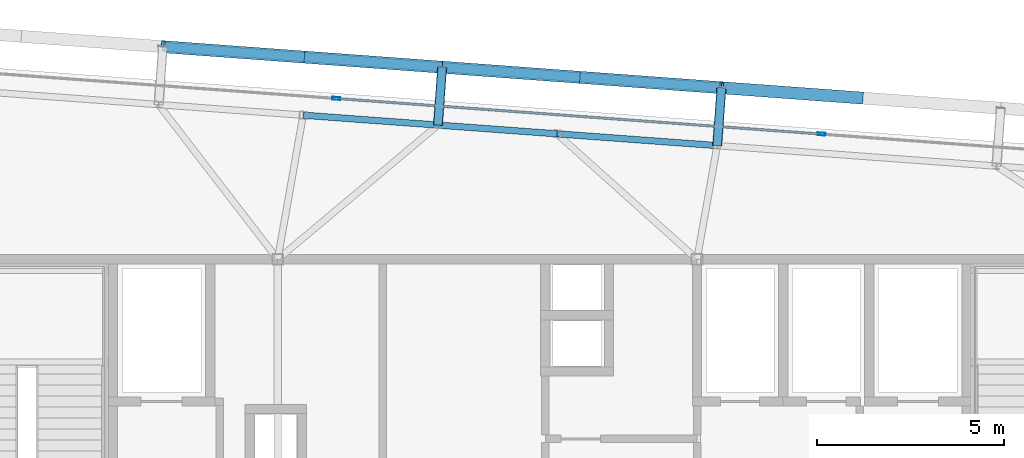
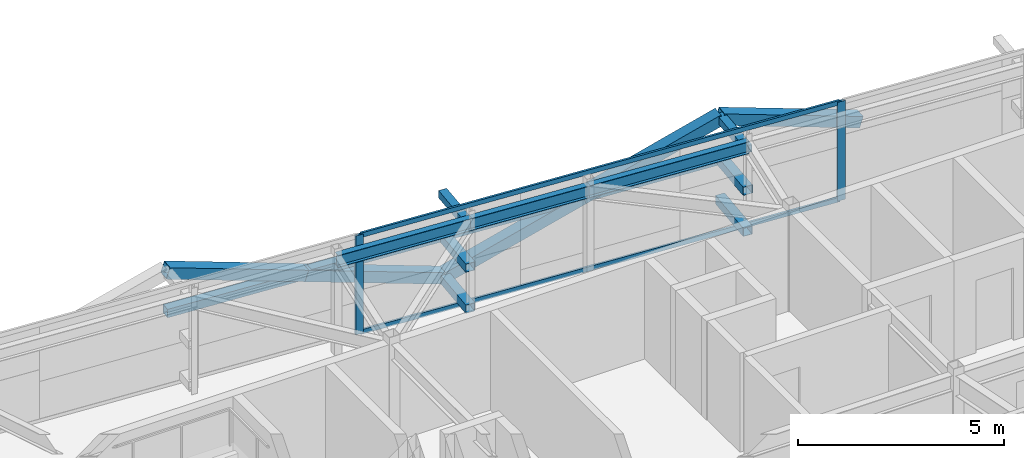
# One storey, part 21 of 34: 17 members, 3 beams, 1 element without a shape of its own.
"""IFC4 building model written with IfcOpenShell, lengths in metres."""

from ifc_helpers import new_model, si_unit, direction, frame, origin, origin_2d, place, context, subcontext, project, spatial, hollow_rectangle, i_section, extrude, source, transform, mapped, material, layer, layer_set, material_profile, profile_set, type_object, element, aggregate, save


model = new_model("IFC4")

# Units and contexts
model_context = context("Model", 3, precision=1e-05, world=origin(), true_north=direction((0.0, 1.0)))
body_context = subcontext(model_context, "Body", "Model", "MODEL_VIEW")
ifc_project = project(units=[si_unit("LENGTHUNIT", "METRE"), si_unit("AREAUNIT", "SQUARE_METRE"), si_unit("VOLUMEUNIT", "CUBIC_METRE"), si_unit("PLANEANGLEUNIT", "RADIAN"), si_unit("MASSUNIT", "GRAM", prefix="KILO")], contexts=[model_context])

# Site, building, storey
site_placement = place(None, origin())
site = spatial("IfcSite", under=ifc_project, at=site_placement, CompositionType="ELEMENT")
building_placement = place(site_placement, origin())
building = spatial("IfcBuilding", under=site, at=building_placement, Name="Taldren Reach Tower", CompositionType="ELEMENT")
storey_placement = place(building_placement, frame((0.0, 0.0, 242.89990234375)))
storey = spatial("IfcBuildingStorey", under=building, at=storey_placement, Name="L74", CompositionType="ELEMENT", Elevation=242.89990234375)

# Members
ifc_material_1 = material(Name="Steel Gr 350 (C350L0)", Category="steel")
ifc_material_profile_1 = material_profile(ifc_material_1, hollow_rectangle(XDim=0.25, YDim=0.25, WallThickness=0.010009765625, at=origin_2d()), Name="250x250x10.0SHS")
ifc_profile_set_1 = profile_set([ifc_material_profile_1], Name="Steel Gr 350 (C350L0)")
member_type_1 = type_object("IfcMemberType", Name="MB-POST250", PredefinedType="POST", material=ifc_profile_set_1)
shared_shape_1 = source(origin(), body_context, "Body", "SweptSolid", [
    extrude(hollow_rectangle(XDim=0.25, YDim=0.25, WallThickness=0.010009765625, at=origin_2d()), origin(), (0.0, 0.0, 1.0), 1.550048828125),
])
for number, where, z_axis, x_axis, name in (
    (1, (32.279541015625, 35.583251953125, 0.22021484375), (0.07323929162, 0.997314396849, 0.0), (-0.997314396849, 0.07323929162, 0.0), "Exoskeleton base diaphragm tie strut B5-N3 L74"),
    (2, (39.739501953125, 35.035400390625, 0.22021484375), (0.07323929162, 0.997314396849, 0.0), (-0.997314396849, 0.07323929162, 0.0), "Exoskeleton base diaphragm tie strut B5-N4 L74"),
    (3, (32.279541015625, 35.583251953125, 1.43505859375), (0.07323929162, 0.997314396849, 0.0), (-0.997314396849, 0.07323929162, 0.0), "Exoskeleton mid-tier diaphragm tie B5-N3 L74"),
    (4, (39.739501953125, 35.035400390625, 1.43505859375), (0.07323929162, 0.997314396849, 0.0), (-0.997314396849, 0.07323929162, 0.0), "Exoskeleton mid-tier diaphragm tie B5-N4 L74"),
):
    element("IfcMember", number, at=place(storey_placement, frame(where, z_axis=z_axis, x_axis=x_axis)), inside=storey, type_object=member_type_1, Name=name, PredefinedType="POST", context=body_context, shape_type="MappedRepresentation", body=[
        mapped(shared_shape_1, transform((0.0, 0.0, 0.0), scale=1.0)),
    ])
ifc_material_2 = material(Name="Steel Gr 450 (C450L0)", Category="steel")
ifc_material_profile_2 = material_profile(ifc_material_2, hollow_rectangle(XDim=0.219970703125, YDim=0.219970703125, WallThickness=0.00830078125, at=origin_2d()), Name="220x220x8.2SHS")
ifc_profile_set_2 = profile_set([ifc_material_profile_2], Name="Steel Gr 450 (C450L0)")
member_type_2 = type_object("IfcMemberType", Name="MB-TIE219", PredefinedType="STRUT", material=ifc_profile_set_2)
shared_shape_2 = source(origin(), body_context, "Body", "SweptSolid", [
    extrude(hollow_rectangle(XDim=0.219970703125, YDim=0.219970703125, WallThickness=0.00830078125, at=origin_2d()), origin(), (0.0, 0.0, 1.0), 1.550048828125),
])
for number, where, z_axis, x_axis, name in (
    (5, (32.279541015625, 35.583251953125, 2.650146484375), (0.07323929162, 0.997314396849, 0.0), (-0.997314396849, 0.07323929162, 0.0), "Exoskeleton diaphragm tie strut B5-N3 L74"),
    (6, (39.739501953125, 35.035400390625, 2.650146484375), (0.07323929162, 0.997314396849, 0.0), (-0.997314396849, 0.07323929162, 0.0), "Exoskeleton diaphragm tie strut B5-N4 L74"),
):
    element("IfcMember", number, at=place(storey_placement, frame(where, z_axis=z_axis, x_axis=x_axis)), inside=storey, type_object=member_type_2, Name=name, PredefinedType="STRUT", context=body_context, shape_type="MappedRepresentation", body=[
        mapped(shared_shape_2, transform((0.0, 0.0, 0.0), scale=1.0)),
    ])

# Beams
ifc_material_3 = material(Name="Steel Gr 350 (350PLUS)", Category="steel")
ifc_material_profile_3 = material_profile(ifc_material_3, i_section(OverallWidth=0.172119140625, OverallDepth=0.35888671875, WebThickness=0.008056640625, FlangeThickness=0.012939453125, at=origin_2d()), Name="360UB56.7")
ifc_profile_set_3 = profile_set([ifc_material_profile_3], Name="Steel Gr 350 (350PLUS)")
beam_type = type_object("IfcBeamType", Name="SP-UB360", PredefinedType="SPANDREL", material=ifc_profile_set_3)
shared_shape_3 = source(origin(), body_context, "Body", "SweptSolid", [
    extrude(i_section(OverallWidth=0.172119140625, OverallDepth=0.35888671875, WebThickness=0.008056640625, FlangeThickness=0.012939453125, at=origin_2d()), origin(), (0.0, 0.0, 1.0), 4.2900390625),
])
beam_1_placement = place(storey_placement, frame((39.739501953125, 35.035400390625, 2.75048828125), z_axis=(-0.997314292471, 0.073240712948, 0.0), x_axis=(-0.073240712948, -0.997314292471, 0.0)))
element("IfcBeam", 7, at=beam_1_placement, inside=storey, type_object=beam_type, Name="Perimeter spandrel B5 N4-PJN2 L74", PredefinedType="SPANDREL", context=body_context, shape_type="MappedRepresentation", body=[
    mapped(shared_shape_3, transform((0.0, 0.0, 0.0), scale=1.0)),
])
shared_shape_4 = source(origin(), body_context, "Body", "SweptSolid", [
    extrude(i_section(OverallWidth=0.172119140625, OverallDepth=0.35888671875, WebThickness=0.008056640625, FlangeThickness=0.012939453125, at=origin_2d()), origin(), (0.0, 0.0, 1.0), 3.18994140625),
])
beam_2_placement = place(storey_placement, frame((35.4609375, 35.349609375, 2.75048828125), z_axis=(-0.99731412404, 0.073243006424, 0.0), x_axis=(-0.073243006424, -0.99731412404, 0.0)))
element("IfcBeam", 8, at=beam_2_placement, inside=storey, type_object=beam_type, Name="Perimeter spandrel B5 PJN2-N3 L74", PredefinedType="SPANDREL", context=body_context, shape_type="MappedRepresentation", body=[
    mapped(shared_shape_4, transform((0.0, 0.0, 0.0), scale=1.0)),
])
shared_shape_5 = source(origin(), body_context, "Body", "SweptSolid", [
    extrude(i_section(OverallWidth=0.172119140625, OverallDepth=0.35888671875, WebThickness=0.008056640625, FlangeThickness=0.012939453125, at=origin_2d()), origin(), (0.0, 0.0, 1.0), 3.610107421875),
])
beam_3_placement = place(storey_placement, frame((32.279541015625, 35.583251953125, 2.75048828125), z_axis=(-0.997314240042, 0.073241426864, 0.0), x_axis=(-0.073241426864, -0.997314240042, 0.0)))
element("IfcBeam", 9, at=beam_3_placement, inside=storey, type_object=beam_type, Name="Perimeter spandrel B5 N3-PJN1 L74", PredefinedType="SPANDREL", context=body_context, shape_type="MappedRepresentation", body=[
    mapped(shared_shape_5, transform((0.0, 0.0, 0.0), scale=1.0)),
])

# Members
ifc_material_profile_4 = material_profile(ifc_material_2, hollow_rectangle(XDim=0.324951171875, YDim=0.324951171875, WallThickness=0.0126953125, at=origin_2d()), Name="325x325x12.7SHS")
ifc_profile_set_4 = profile_set([ifc_material_profile_4], Name="Steel Gr 450 (C450L0)")
member_type_3 = type_object("IfcMemberType", Name="MB-BR324", PredefinedType="BRACE", material=ifc_profile_set_4)
shared_shape_6 = source(origin(), body_context, "Body", "SweptSolid", [
    extrude(hollow_rectangle(XDim=0.324951171875, YDim=0.324951171875, WallThickness=0.0126953125, at=origin_2d()), origin(), (0.0, 0.0, 1.0), 3.932373046875),
])
for number, where, z_axis, x_axis, name in (
    (10, (32.39306640625, 37.129150390625, 0.22021484375), (-0.948529326954, 0.06965898055, 0.308933232813), (-0.07324169103, -0.997314220642, 0.0), "Exoskeleton Diagrid Brace B5-N2 L74"),
    (11, (28.6630859375, 37.403076171875, 1.43505859375), (-0.948511132845, 0.069657644394, 0.308989390507), (-0.07324169103, -0.997314220642, 0.0), "Exoskeleton Diagrid Brace B5-N2 L74"),
    (12, (32.39306640625, 37.129150390625, 0.22021484375), (0.948529326954, -0.06965898055, 0.308933232813), (0.07324169103, 0.997314220642, 0.0), "Exoskeleton Diagrid Brace B5-N3 L74"),
    (13, (36.123046875, 36.855224609375, 1.43505859375), (0.948511132845, -0.069657644394, 0.308989390507), (0.07324169103, 0.997314220642, 0.0), "Exoskeleton Diagrid Brace B5-N3 L74"),
    (14, (43.5830078125, 36.307373046875, 1.43505859375), (-0.948511132845, 0.069657644394, 0.308989390507), (-0.07324169103, -0.997314220642, 0.0), "Exoskeleton Diagrid Brace B5-N4 L74"),
):
    element("IfcMember", number, at=place(storey_placement, frame(where, z_axis=z_axis, x_axis=x_axis)), inside=storey, type_object=member_type_3, Name=name, PredefinedType="BRACE", context=body_context, shape_type="MappedRepresentation", body=[
        mapped(shared_shape_6, transform((0.0, 0.0, 0.0), scale=1.0)),
    ])
shared_shape_7 = source(origin(), body_context, "Body", "SweptSolid", [
    extrude(hollow_rectangle(XDim=0.25, YDim=0.25, WallThickness=0.010009765625, at=origin_2d()), origin(), (0.0, 0.0, 1.0), 7.47998046875),
])
for number, where, z_axis, x_axis, name in (
    (15, (24.93310546875, 37.677001953125, 1.43505859375), (0.997314220642, -0.07324169103, 0.0), (0.07324169103, 0.997314220642, 0.0), "Exoskeleton mid-height ring chord B5-N2 L74"),
    (16, (32.39306640625, 37.129150390625, 1.43505859375), (0.997314220642, -0.07324169103, 0.0), (0.07324169103, 0.997314220642, 0.0), "Exoskeleton mid-height ring chord B5-N3 L74"),
):
    element("IfcMember", number, at=place(storey_placement, frame(where, z_axis=z_axis, x_axis=x_axis)), inside=storey, type_object=member_type_1, Name=name, PredefinedType="POST", context=body_context, shape_type="MappedRepresentation", body=[
        mapped(shared_shape_7, transform((0.0, 0.0, 0.0), scale=1.0)),
    ])

# Curtain wall, members
ifc_material_4 = material(Name="Aluminium and Low-E Glass Unitised System", Category="aluminium")
ifc_layer = layer(ifc_material_4, 0.159912109375)
ifc_layer_set = layer_set([ifc_layer], Name="Aluminium and Low-E Glass Unitised System")
curtain_wall_type = type_object("IfcCurtainWallType", Name="CW-SYS-6", PredefinedType="NOTDEFINED", material=ifc_layer_set)
curtain_wall_placement = place(storey_placement, origin())
curtain_wall = element("IfcCurtainWall", 17, at=curtain_wall_placement, inside=storey, type_object=curtain_wall_type, Name="Unitised curtain wall CW-L74-N", PredefinedType="NOTDEFINED")
ifc_material_5 = material(Name="Anodised Aluminium 6063-T6", Category="aluminium")
ifc_material_profile_5 = material_profile(ifc_material_5, hollow_rectangle(XDim=0.074951171875, YDim=0.2099609375, WallThickness=0.00439453125, at=origin_2d()), Name="ALU-210x75x4.5RHS")
ifc_profile_set_5 = profile_set([ifc_material_profile_5], Name="Anodised Aluminium 6063-T6")
member_type_4 = type_object("IfcMemberType", Name="CW-MUL-200", PredefinedType="MULLION", material=ifc_profile_set_5)
shared_shape_8 = source(origin(), body_context, "Body", "SweptSolid", [
    extrude(hollow_rectangle(XDim=0.074951171875, YDim=0.2099609375, WallThickness=0.00439453125, at=origin_2d()), origin(), (0.0, 0.0, 1.0), 2.93017578125),
])
member_1_placement = place(storey_placement, frame((42.529541015625, 35.341796875, 0.0), z_axis=(0.0, 0.0, 1.0), x_axis=(-0.073238213716, -0.997314476006, 0.0)))
member_1 = element("IfcMember", 18, at=member_1_placement, type_object=member_type_4, Name="CW-6 mullion 2", PredefinedType="MULLION", context=body_context, shape_type="MappedRepresentation", body=[
    mapped(shared_shape_8, transform((0.0, 0.0, 0.0), scale=1.0)),
])
member_2_placement = place(storey_placement, frame((29.564453125, 36.2939453125, 0.0), z_axis=(0.0, 0.0, 1.0), x_axis=(-0.073238213716, -0.997314476006, 0.0)))
member_2 = element("IfcMember", 19, at=member_2_placement, type_object=member_type_4, Name="CW-6 mullion 3", PredefinedType="MULLION", context=body_context, shape_type="MappedRepresentation", body=[
    mapped(shared_shape_8, transform((0.0, 0.0, 0.0), scale=1.0)),
])
ifc_material_profile_6 = material_profile(ifc_material_5, hollow_rectangle(XDim=0.06005859375, YDim=0.135009765625, WallThickness=0.00341796875, at=origin_2d()), Name="ALU-135x60x3.5RHS")
ifc_profile_set_6 = profile_set([ifc_material_profile_6], Name="Anodised Aluminium 6063-T6")
member_type_5 = type_object("IfcMemberType", Name="CW-TRN-150", PredefinedType="USERDEFINED", material=ifc_profile_set_6)
shared_shape_9 = source(origin(), body_context, "Body", "SweptSolid", [
    extrude(hollow_rectangle(XDim=0.06005859375, YDim=0.135009765625, WallThickness=0.00341796875, at=origin_2d()), origin(), (0.0, 0.0, 1.0), 12.9248046875),
])
member_3_placement = place(storey_placement, frame((42.491943359375, 35.3447265625, 0.030029296875), z_axis=(-0.997314812144, 0.073233636249, 0.0), x_axis=(-0.073233636249, -0.997314812144, 0.0)))
member_3 = element("IfcMember", 20, at=member_3_placement, type_object=member_type_5, Name="CW-6 transom 2.1", ObjectType="TRANSOM", PredefinedType="USERDEFINED", context=body_context, shape_type="MappedRepresentation", body=[
    mapped(shared_shape_9, transform((0.0, 0.0, 0.0), scale=1.0)),
])
member_4_placement = place(storey_placement, frame((42.491943359375, 35.3447265625, 2.900146484375), z_axis=(-0.997314812144, 0.073233636249, 0.0), x_axis=(-0.073233636249, -0.997314812144, 0.0)))
member_4 = element("IfcMember", 21, at=member_4_placement, type_object=member_type_5, Name="CW-6 transom 2.2", ObjectType="TRANSOM", PredefinedType="USERDEFINED", context=body_context, shape_type="MappedRepresentation", body=[
    mapped(shared_shape_9, transform((0.0, 0.0, 0.0), scale=1.0)),
])
aggregate(curtain_wall, [member_1, member_2, member_3, member_4])

save(model, "model.ifc")
